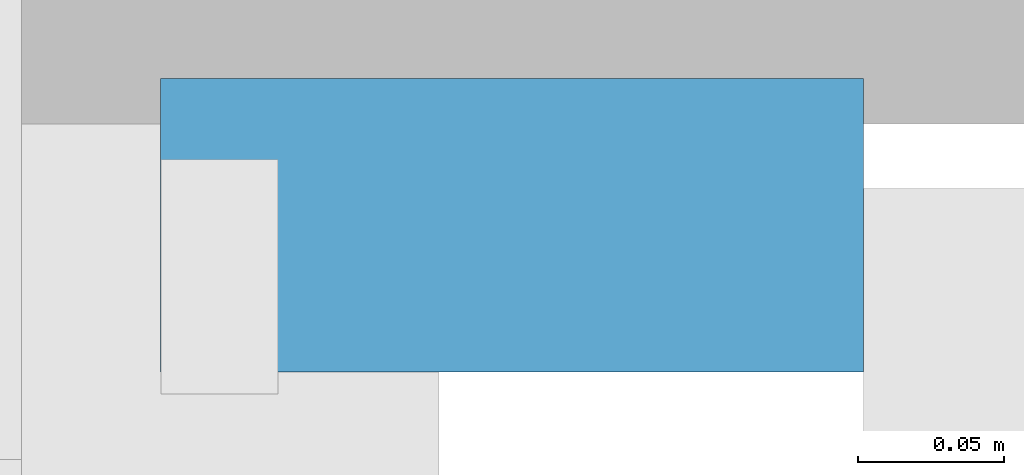
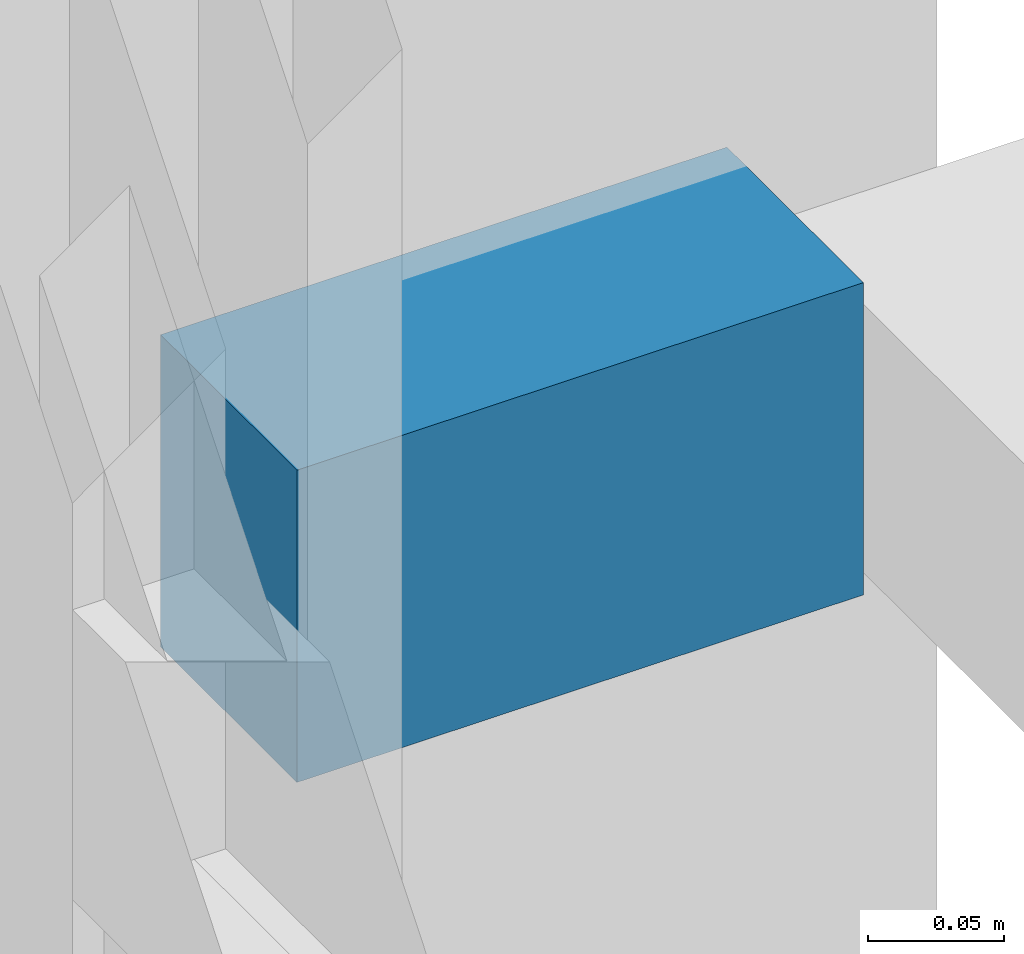
# One storey, part 22 of 35: 1 discrete accessory.
"""IFC4 building model written with IfcOpenShell, lengths in metres."""

from ifc_helpers import new_model, si_unit, direction, frame, origin, origin_2d, place, context, subcontext, project, spatial, rectangle, extrude, material, type_object, element, save


model = new_model("IFC4")

# Units and contexts
model_context = context("Model", 3, precision=1e-05, world=origin(), true_north=direction((0.0, 1.0)))
body_context = subcontext(model_context, "Body", "Model", "MODEL_VIEW")
ifc_project = project(units=[si_unit("LENGTHUNIT", "METRE"), si_unit("AREAUNIT", "SQUARE_METRE"), si_unit("VOLUMEUNIT", "CUBIC_METRE"), si_unit("PLANEANGLEUNIT", "RADIAN"), si_unit("MASSUNIT", "GRAM", prefix="KILO")], contexts=[model_context])

# Site, building, storey
site_placement = place(None, origin())
site = spatial("IfcSite", under=ifc_project, at=site_placement, CompositionType="ELEMENT")
building_placement = place(site_placement, origin())
building = spatial("IfcBuilding", under=site, at=building_placement, Name="Telukmera Botanical Conservatory", CompositionType="ELEMENT")
storey_placement = place(building_placement, frame((0.0, 0.0, 28.5)))
storey = spatial("IfcBuildingStorey", under=building, at=storey_placement, Name="L06", CompositionType="ELEMENT", Elevation=28.5)

# Discrete accessory
ifc_material = material(Name="Steel S355", Category="steel")
discrete_accessory_type = type_object("IfcDiscreteAccessoryType", Name="Structural Steel Facade Outrigger Fin Bracket", PredefinedType="BRACKET", material=ifc_material)
discrete_accessory_placement = place(storey_placement, frame((109.39990234375, 42.365478515625, 0.8798828125), z_axis=(0.0, 0.0, 1.0), x_axis=(0.0, 1.0, 0.0)))
element("IfcDiscreteAccessory", 1, at=discrete_accessory_placement, inside=storey, type_object=discrete_accessory_type, Name="Facade Outrigger Bracket V4:L06:E4 B", PredefinedType="BRACKET", context=body_context, shape_type="SweptSolid", body=[
    extrude(rectangle(XDim=0.10009765625, YDim=0.239990234375, at=origin_2d()), origin(), (0.0, 0.0, 1.0), 0.139892578125),
])

save(model, "model.ifc")
